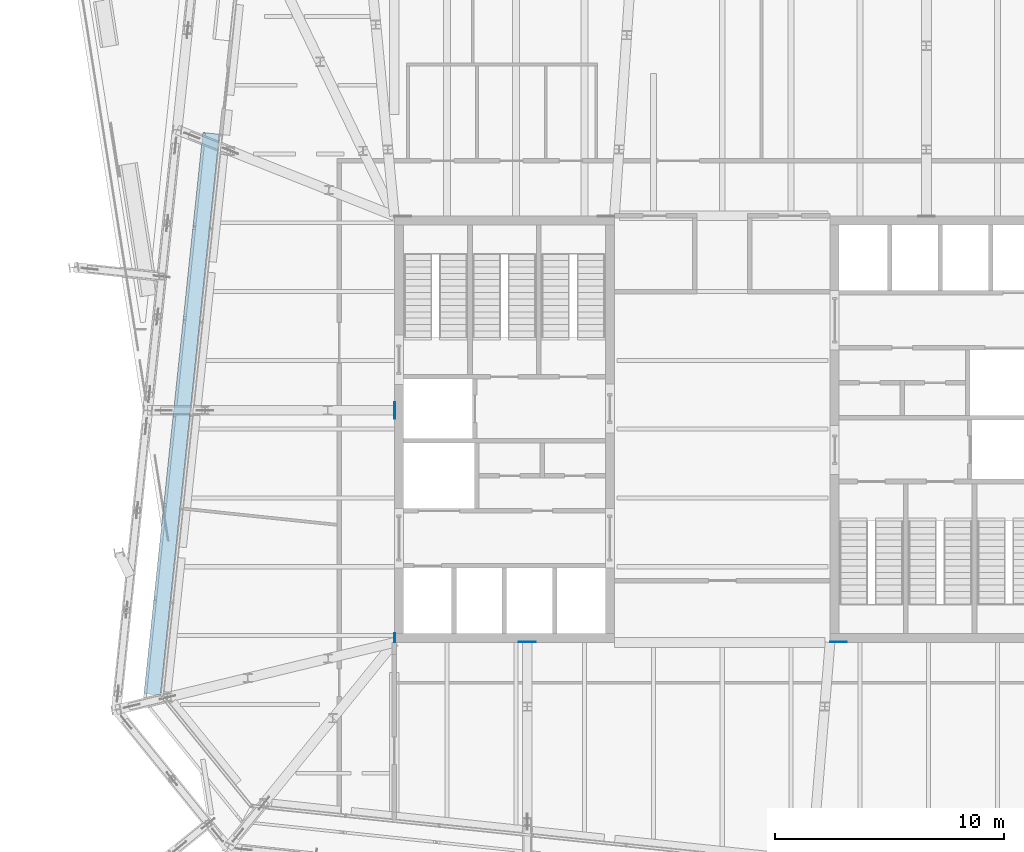
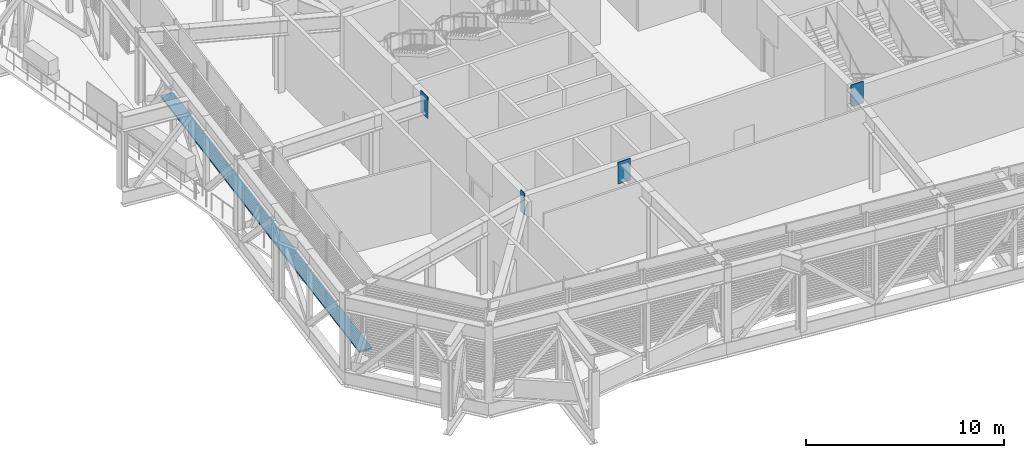
# One storey, part 25 of 36: 5 discrete accessories.
"""IFC4 building model written with IfcOpenShell, lengths in metres."""

import ifcopenshell
import ifcopenshell.guid

model = None  # the IFC model being written
_history = None  # IfcOwnerHistory: only IFC2X3 demands one
_inside = {}  # id of a spatial element -> (the spatial element, [elements in it])
_under = {}  # id of a project, library or spatial element -> (it, [spatial elements below it])
_declared = {}  # id of a project -> (the project, [libraries it declares])
_typed = {}  # id of a type object -> (the type object, [elements of that type])
_made_of = {}  # id of a material, layer set ... -> (it, [elements and type objects made of it])


def new_model(schema):
    """Start an empty IFC model of exactly this schema.

    Asked for "IFC4X3", IfcOpenShell would pick the latest addendum, in which some entities
    have other attributes; the version numbers below select the first issue.
    IFC2X3 requires an IfcOwnerHistory on every rooted entity: one is made here for all.
    """
    global model, _history
    if schema == "IFC4X3":
        model = ifcopenshell.file(schema_version=(4, 3, 0, 0))
    else:
        model = ifcopenshell.file(schema=schema)
    _inside.clear()
    _under.clear()
    _declared.clear()
    _typed.clear()
    _made_of.clear()
    _history = None
    if model.schema == "IFC2X3":
        org = make("IfcOrganization", Name="unknown")
        user = make(
            "IfcPersonAndOrganization",
            ThePerson=make("IfcPerson", FamilyName="unknown"),
            TheOrganization=org,
        )
        app = make(
            "IfcApplication",
            ApplicationDeveloper=org,
            Version="unknown",
            ApplicationFullName="unknown",
            ApplicationIdentifier="unknown",
        )
        _history = make(
            "IfcOwnerHistory",
            OwningUser=user,
            OwningApplication=app,
            ChangeAction="ADDED",
            CreationDate=0,
        )
    return model


def make(cls, **values):
    """One entity of the class cls with the attributes given. An attribute that is None is left unset."""
    return model.create_entity(
        cls, **{name: value for name, value in values.items() if value is not None}
    )


def rooted(cls, **values):
    """An entity with a GlobalId (a new one), such as an element, a storey or a relation."""
    return make(cls, GlobalId=ifcopenshell.guid.new(), OwnerHistory=_history, **values)


def si_unit(unit_type, name, prefix=None):
    """IfcSIUnit, for example si_unit("LENGTHUNIT", "METRE", prefix="MILLI")."""
    return make("IfcSIUnit", UnitType=unit_type, Prefix=prefix, Name=name)


def assignment(units):
    """IfcUnitAssignment: the units of a project."""
    return None if units is None else make("IfcUnitAssignment", Units=units)


def point(xyz):
    """IfcCartesianPoint."""
    return None if xyz is None else make("IfcCartesianPoint", Coordinates=xyz)


def direction(xyz):
    """IfcDirection."""
    return None if xyz is None else make("IfcDirection", DirectionRatios=xyz)


def frame(location, z_axis=None, x_axis=None):
    """IfcAxis2Placement3D, a coordinate frame: its origin and axes. An axis left out is left unset."""
    return make(
        "IfcAxis2Placement3D",
        Location=point(location),
        Axis=direction(z_axis),
        RefDirection=direction(x_axis),
    )


def frame_2d(location, x_axis=None):
    """IfcAxis2Placement2D, a coordinate frame in the plane: its origin and x axis."""
    return make(
        "IfcAxis2Placement2D", Location=point(location), RefDirection=direction(x_axis)
    )


def origin():
    """The frame at (0, 0, 0) with its axes left unset."""
    return frame((0.0, 0.0, 0.0))


def origin_2d():
    """The frame at (0, 0) in the plane with its x axis left unset."""
    return frame_2d((0.0, 0.0))


def place(relative_to, where):
    """IfcLocalPlacement: puts the frame where relative to a parent placement (None: the world)."""
    return make(
        "IfcLocalPlacement", PlacementRelTo=relative_to, RelativePlacement=where
    )


def context(
    kind, dimensions, precision=None, world=None, true_north=None, identifier=None
):
    """IfcGeometricRepresentationContext, for example the 3D "Model" context."""
    return make(
        "IfcGeometricRepresentationContext",
        ContextIdentifier=identifier,
        ContextType=kind,
        CoordinateSpaceDimension=dimensions,
        Precision=precision,
        WorldCoordinateSystem=world,
        TrueNorth=true_north,
    )


def subcontext(parent, identifier, kind, view, scale=None):
    """IfcGeometricRepresentationSubContext, for example "Body" below "Model"."""
    return make(
        "IfcGeometricRepresentationSubContext",
        ContextIdentifier=identifier,
        ContextType=kind,
        ParentContext=parent,
        TargetScale=scale,
        TargetView=view,
    )


def project(units=None, contexts=None):
    """IfcProject with its units and contexts."""
    return rooted(
        "IfcProject",
        Name="project",
        RepresentationContexts=contexts,
        UnitsInContext=assignment(units),
    )


def spatial(cls, under=None, at=None, **own):
    """A site, building, storey or space (cls), placed at a placement, below another one or the project."""
    s = rooted(cls, ObjectPlacement=at, **own)
    if under is not None:
        _under.setdefault(under.id(), (under, []))[1].append(s)
    return s


def profile(cls, at=None, kind="AREA", **sizes):
    """A parametric profile (cls). Its sizes go by their IFC names, for example OverallWidth=200.0."""
    return make(cls, ProfileType=kind, Position=at, **sizes)


def rectangle(**sizes):
    """IfcRectangleProfileDef."""
    return profile("IfcRectangleProfileDef", **sizes)


def extrude(swept, where, along, depth):
    """IfcExtrudedAreaSolid: the profile swept, set in the frame where, extruded along a direction by depth."""
    return make(
        "IfcExtrudedAreaSolid",
        SweptArea=swept,
        Position=where,
        ExtrudedDirection=direction(along),
        Depth=depth,
    )


def shape(context_of_items, identifier, shape_type, items):
    """IfcShapeRepresentation: the items that make up one representation, for example the "Body"."""
    return make(
        "IfcShapeRepresentation",
        ContextOfItems=context_of_items,
        RepresentationIdentifier=identifier,
        RepresentationType=shape_type,
        Items=items,
    )


def material(Name=None, Category=None):
    """IfcMaterial."""
    return make("IfcMaterial", Name=Name, Category=Category)


def layer(
    of_material, thickness, ventilated=None, Name=None, Category=None, Priority=None
):
    """IfcMaterialLayer: one layer of a wall or slab, of a material (None: an air gap)."""
    return make(
        "IfcMaterialLayer",
        Material=of_material,
        LayerThickness=thickness,
        IsVentilated=ventilated,
        Name=Name,
        Category=Category,
        Priority=Priority,
    )


def layer_set(layers, Name=None):
    """IfcMaterialLayerSet."""
    return make("IfcMaterialLayerSet", MaterialLayers=layers, LayerSetName=Name)


def made_of(thing, what):
    """Note that an element or type object is made of a material, layer set ...; save() writes the relation."""
    if what is not None:
        _made_of.setdefault(what.id(), (what, []))[1].append(thing)
    return thing


def type_object(cls, material=None, **own):
    """A type object (cls), such as IfcWallType, which elements share."""
    return made_of(rooted(cls, **own), material)


def element(
    cls,
    number,
    at=None,
    inside=None,
    cuts=None,
    type_object=None,
    material=None,
    context=None,
    identifier="Body",
    shape_type=None,
    held_by="IfcProductDefinitionShape",
    body=None,
    shapes=None,
    **own,
):
    """One element of the class cls, such as IfcWall. Its Tag is "e" and its number.

    at: its placement. inside: the storey or other place that contains it. cuts: it is an
    opening in that element (IfcRelVoidsElement). A single representation is given by context,
    identifier, shape_type and body (its items); several are given by shapes. held_by: the class
    of the entity that holds the representations. save() writes the other relations.
    """
    e = rooted(cls, Tag="e%d" % number, ObjectPlacement=at, **own)
    if body is not None:
        shapes = [shape(context, identifier, shape_type, body)]
    if shapes is not None:
        e.Representation = make(held_by, Representations=shapes)
    if inside is not None:
        _inside.setdefault(inside.id(), (inside, []))[1].append(e)
    if cuts is not None:
        rooted(
            "IfcRelVoidsElement", RelatingBuildingElement=cuts, RelatedOpeningElement=e
        )
    if type_object is not None:
        _typed.setdefault(type_object.id(), (type_object, []))[1].append(e)
    return made_of(e, material)


def aggregate(whole, parts):
    """IfcRelAggregates: a whole, such as a stair, and the parts it consists of."""
    return rooted("IfcRelAggregates", RelatingObject=whole, RelatedObjects=parts)


def save(model, path):
    """Write the relations noted so far, then the file.

    IfcRelAggregates (storeys below a building ...), IfcRelContainedInSpatialStructure (elements
    in a storey), IfcRelDefinesByType, IfcRelAssociatesMaterial and IfcRelDeclares: one each for
    every whole, place, type object, material and project.
    """
    for whole, parts in _under.values():
        aggregate(whole, parts)
    for where, things in _inside.values():
        rooted(
            "IfcRelContainedInSpatialStructure",
            RelatedElements=things,
            RelatingStructure=where,
        )
    for kind, things in _typed.values():
        rooted("IfcRelDefinesByType", RelatedObjects=things, RelatingType=kind)
    for what, things in _made_of.values():
        rooted("IfcRelAssociatesMaterial", RelatedObjects=things, RelatingMaterial=what)
    for by, libraries in _declared.values():
        rooted("IfcRelDeclares", RelatingContext=by, RelatedDefinitions=libraries)
    model.write(path)


model = new_model("IFC4")

# Units and contexts
model_context = context("Model", 3, precision=1e-05, world=origin(), true_north=direction((0.0, 1.0)))
body_context = subcontext(model_context, "Body", "Model", "MODEL_VIEW")
ifc_project = project(units=[si_unit("LENGTHUNIT", "METRE"), si_unit("AREAUNIT", "SQUARE_METRE"), si_unit("VOLUMEUNIT", "CUBIC_METRE"), si_unit("PLANEANGLEUNIT", "RADIAN"), si_unit("MASSUNIT", "GRAM", prefix="KILO")], contexts=[model_context])

# Site, building, storey
site_placement = place(None, origin())
site = spatial("IfcSite", under=ifc_project, at=site_placement, CompositionType="ELEMENT")
building_placement = place(site_placement, origin())
building = spatial("IfcBuilding", under=site, at=building_placement, Name="Millrace Tower", CompositionType="ELEMENT")
storey_placement = place(building_placement, frame((0.0, 0.0, 271.39990234375)))
storey = spatial("IfcBuildingStorey", under=building, at=storey_placement, Name="L62", CompositionType="ELEMENT", Elevation=271.39990234375)

# Discrete accessories
ifc_material_1 = material(Name="Steel ASTM A572 Grade 50", Category="steel")
ifc_layer_1 = layer(ifc_material_1, 0.034912109375)
ifc_layer_set_1 = layer_set([ifc_layer_1], Name="Steel ASTM A572 Grade 50")
discrete_accessory_type_1 = type_object("IfcDiscreteAccessoryType", Name="Cast-in anchor plate 400x1350x35", PredefinedType="ANCHORPLATE", material=ifc_layer_set_1)
discrete_accessory_1_placement = place(storey_placement, frame((-14.264892578125, -9.10009765625, 3.96630859375), z_axis=(-1.0, 0.0, 0.0), x_axis=(0.0, -1.0, 0.0)))
element("IfcDiscreteAccessory", 1, at=discrete_accessory_1_placement, inside=storey, type_object=discrete_accessory_type_1, Name="Cast-in anchor plate TRS-L62-C01-T04", PredefinedType="ANCHORPLATE", context=body_context, shape_type="SweptSolid", body=[
    extrude(rectangle(XDim=0.39990234375, YDim=1.35009765625, at=origin_2d()), origin(), (0.0, 0.0, 1.0), 0.03515625),
])
ifc_material_2 = material(Name="Steel ASTM A572 Grade 50", Category="steel")
ifc_layer_2 = layer(ifc_material_2, 0.034912109375)
ifc_layer_set_2 = layer_set([ifc_layer_2], Name="Steel ASTM A572 Grade 50")
discrete_accessory_type_2 = type_object("IfcDiscreteAccessoryType", Name="Cast-in anchor plate 725x1350x35", PredefinedType="ANCHORPLATE", material=ifc_layer_set_2)
for number, where, z_axis, x_axis, name in (
    (2, (-8.50341796875, -9.264892578125, 3.96630859375), (0.0, -1.0, 0.0), (1.0, 0.0, 0.0), "Cast-in anchor plate TRS-L62-C03-T03"),
    (3, (-14.264892578125, 0.82080078125, 3.96630859375), (-1.0, 0.0, 0.0), (0.0, -1.0, 0.0), "Cast-in anchor plate TRS-L62-C16-T03"),
):
    element("IfcDiscreteAccessory", number, at=place(storey_placement, frame(where, z_axis=z_axis, x_axis=x_axis)), inside=storey, type_object=discrete_accessory_type_2, Name=name, PredefinedType="ANCHORPLATE", context=body_context, shape_type="SweptSolid", body=[
        extrude(rectangle(XDim=0.72509765625, YDim=1.35009765625, at=origin_2d()), origin(), (0.0, 0.0, 1.0), 0.03515625),
    ])
ifc_material_3 = material(Name="Steel ASTM A572 Grade 50", Category="steel")
ifc_layer_3 = layer(ifc_material_3, 0.034912109375)
ifc_layer_set_3 = layer_set([ifc_layer_3], Name="Steel ASTM A572 Grade 50")
discrete_accessory_type_3 = type_object("IfcDiscreteAccessoryType", Name="Cast-in anchor plate 730x1350x35", PredefinedType="ANCHORPLATE", material=ifc_layer_set_3)
discrete_accessory_2_placement = place(storey_placement, frame((5.06494140625, -9.264892578125, 3.96630859375), z_axis=(0.0, -1.0, 0.0), x_axis=(1.0, 0.0, 0.0)))
element("IfcDiscreteAccessory", 4, at=discrete_accessory_2_placement, inside=storey, type_object=discrete_accessory_type_3, Name="Cast-in anchor plate TRS-L62-C04-T03", PredefinedType="ANCHORPLATE", context=body_context, shape_type="SweptSolid", body=[
    extrude(rectangle(XDim=0.72998046875, YDim=1.35009765625, at=origin_2d()), origin(), (0.0, 0.0, 1.0), 0.03515625),
])
ifc_material_4 = material(Name="Stainless steel ASTM A240 type 316", Category="steel")
discrete_accessory_type_4 = type_object("IfcDiscreteAccessoryType", Name="Thermally broken screen support rail", PredefinedType="BRACKET", material=ifc_material_4)
discrete_accessory_3_placement = place(storey_placement, frame((-23.575439453125, 0.6650390625, 0.0), z_axis=(0.0, 0.0, 1.0), x_axis=(-0.104528455196, -0.994521896217, 0.0)))
element("IfcDiscreteAccessory", 5, at=discrete_accessory_3_placement, inside=storey, type_object=discrete_accessory_type_4, Name="Thermally broken screen support rail E-F08 L62 2", PredefinedType="BRACKET", context=body_context, shape_type="SweptSolid", body=[
    extrude(rectangle(XDim=24.60009765625, YDim=0.719970703125, at=origin_2d()), origin(), (0.0, 0.0, 1.0), 0.10009765625),
])

save(model, "model.ifc")
